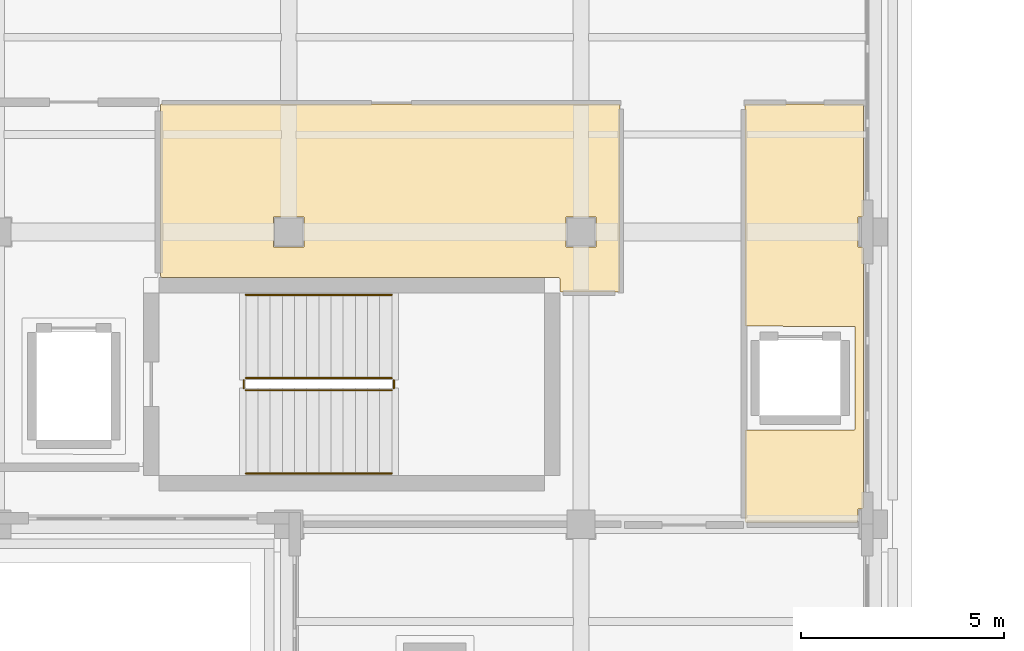
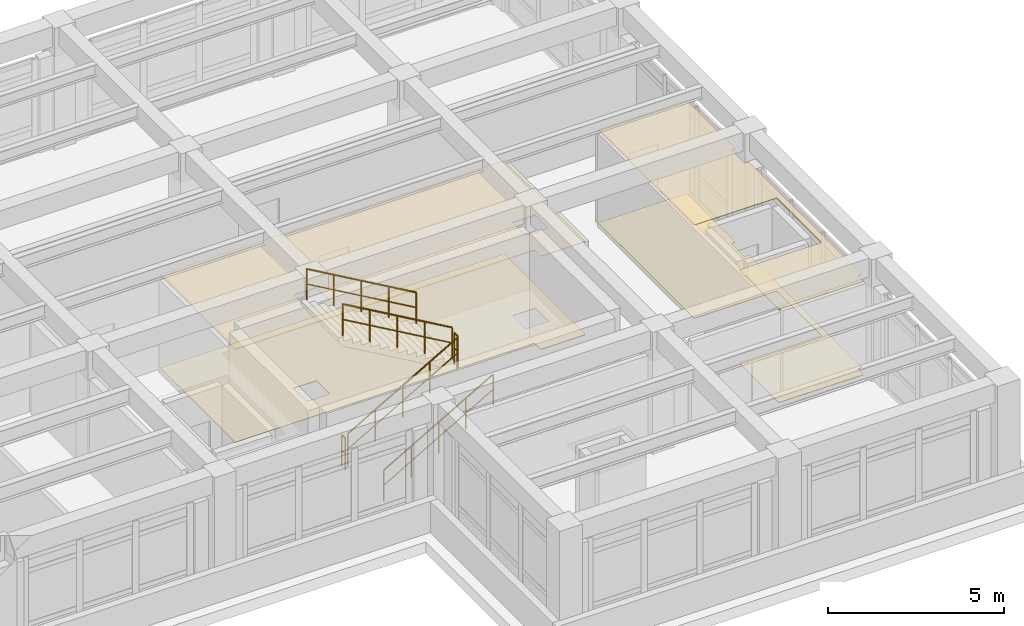
# One storey, part 63 of 64: 6 railings, 4 coverings.
"""IFC4 building model written with IfcOpenShell, lengths in metres."""

import ifcopenshell
import ifcopenshell.guid

model = None  # the IFC model being written
_history = None  # IfcOwnerHistory: only IFC2X3 demands one
_inside = {}  # id of a spatial element -> (the spatial element, [elements in it])
_under = {}  # id of a project, library or spatial element -> (it, [spatial elements below it])
_declared = {}  # id of a project -> (the project, [libraries it declares])
_typed = {}  # id of a type object -> (the type object, [elements of that type])
_made_of = {}  # id of a material, layer set ... -> (it, [elements and type objects made of it])


def new_model(schema):
    """Start an empty IFC model of exactly this schema.

    Asked for "IFC4X3", IfcOpenShell would pick the latest addendum, in which some entities
    have other attributes; the version numbers below select the first issue.
    IFC2X3 requires an IfcOwnerHistory on every rooted entity: one is made here for all.
    """
    global model, _history
    if schema == "IFC4X3":
        model = ifcopenshell.file(schema_version=(4, 3, 0, 0))
    else:
        model = ifcopenshell.file(schema=schema)
    _inside.clear()
    _under.clear()
    _declared.clear()
    _typed.clear()
    _made_of.clear()
    _history = None
    if model.schema == "IFC2X3":
        org = make("IfcOrganization", Name="unknown")
        user = make(
            "IfcPersonAndOrganization",
            ThePerson=make("IfcPerson", FamilyName="unknown"),
            TheOrganization=org,
        )
        app = make(
            "IfcApplication",
            ApplicationDeveloper=org,
            Version="unknown",
            ApplicationFullName="unknown",
            ApplicationIdentifier="unknown",
        )
        _history = make(
            "IfcOwnerHistory",
            OwningUser=user,
            OwningApplication=app,
            ChangeAction="ADDED",
            CreationDate=0,
        )
    return model


def make(cls, **values):
    """One entity of the class cls with the attributes given. An attribute that is None is left unset."""
    return model.create_entity(
        cls, **{name: value for name, value in values.items() if value is not None}
    )


def rooted(cls, **values):
    """An entity with a GlobalId (a new one), such as an element, a storey or a relation."""
    return make(cls, GlobalId=ifcopenshell.guid.new(), OwnerHistory=_history, **values)


def si_unit(unit_type, name, prefix=None):
    """IfcSIUnit, for example si_unit("LENGTHUNIT", "METRE", prefix="MILLI")."""
    return make("IfcSIUnit", UnitType=unit_type, Prefix=prefix, Name=name)


def assignment(units):
    """IfcUnitAssignment: the units of a project."""
    return None if units is None else make("IfcUnitAssignment", Units=units)


def point(xyz):
    """IfcCartesianPoint."""
    return None if xyz is None else make("IfcCartesianPoint", Coordinates=xyz)


def direction(xyz):
    """IfcDirection."""
    return None if xyz is None else make("IfcDirection", DirectionRatios=xyz)


def frame(location, z_axis=None, x_axis=None):
    """IfcAxis2Placement3D, a coordinate frame: its origin and axes. An axis left out is left unset."""
    return make(
        "IfcAxis2Placement3D",
        Location=point(location),
        Axis=direction(z_axis),
        RefDirection=direction(x_axis),
    )


def frame_2d(location, x_axis=None):
    """IfcAxis2Placement2D, a coordinate frame in the plane: its origin and x axis."""
    return make(
        "IfcAxis2Placement2D", Location=point(location), RefDirection=direction(x_axis)
    )


def origin():
    """The frame at (0, 0, 0) with its axes left unset."""
    return frame((0.0, 0.0, 0.0))


def origin_2d():
    """The frame at (0, 0) in the plane with its x axis left unset."""
    return frame_2d((0.0, 0.0))


def place(relative_to, where):
    """IfcLocalPlacement: puts the frame where relative to a parent placement (None: the world)."""
    return make(
        "IfcLocalPlacement", PlacementRelTo=relative_to, RelativePlacement=where
    )


def context(
    kind, dimensions, precision=None, world=None, true_north=None, identifier=None
):
    """IfcGeometricRepresentationContext, for example the 3D "Model" context."""
    return make(
        "IfcGeometricRepresentationContext",
        ContextIdentifier=identifier,
        ContextType=kind,
        CoordinateSpaceDimension=dimensions,
        Precision=precision,
        WorldCoordinateSystem=world,
        TrueNorth=true_north,
    )


def subcontext(parent, identifier, kind, view, scale=None):
    """IfcGeometricRepresentationSubContext, for example "Body" below "Model"."""
    return make(
        "IfcGeometricRepresentationSubContext",
        ContextIdentifier=identifier,
        ContextType=kind,
        ParentContext=parent,
        TargetScale=scale,
        TargetView=view,
    )


def project(units=None, contexts=None):
    """IfcProject with its units and contexts."""
    return rooted(
        "IfcProject",
        Name="project",
        RepresentationContexts=contexts,
        UnitsInContext=assignment(units),
    )


def spatial(cls, under=None, at=None, **own):
    """A site, building, storey or space (cls), placed at a placement, below another one or the project."""
    s = rooted(cls, ObjectPlacement=at, **own)
    if under is not None:
        _under.setdefault(under.id(), (under, []))[1].append(s)
    return s


def polyline(points):
    """IfcPolyline through the points."""
    return make("IfcPolyline", Points=[point(p) for p in points])


def profile(cls, at=None, kind="AREA", **sizes):
    """A parametric profile (cls). Its sizes go by their IFC names, for example OverallWidth=200.0."""
    return make(cls, ProfileType=kind, Position=at, **sizes)


def circle(**sizes):
    """IfcCircleProfileDef."""
    return profile("IfcCircleProfileDef", **sizes)


def outline(outer, holes=None, kind="AREA"):
    """IfcArbitraryClosedProfileDef: a profile drawn as a closed curve; with holes, ...WithVoids."""
    if holes is None:
        return make("IfcArbitraryClosedProfileDef", ProfileType=kind, OuterCurve=outer)
    return make(
        "IfcArbitraryProfileDefWithVoids",
        ProfileType=kind,
        OuterCurve=outer,
        InnerCurves=holes,
    )


def extrude(swept, where, along, depth):
    """IfcExtrudedAreaSolid: the profile swept, set in the frame where, extruded along a direction by depth."""
    return make(
        "IfcExtrudedAreaSolid",
        SweptArea=swept,
        Position=where,
        ExtrudedDirection=direction(along),
        Depth=depth,
    )


def shape(context_of_items, identifier, shape_type, items):
    """IfcShapeRepresentation: the items that make up one representation, for example the "Body"."""
    return make(
        "IfcShapeRepresentation",
        ContextOfItems=context_of_items,
        RepresentationIdentifier=identifier,
        RepresentationType=shape_type,
        Items=items,
    )


def material(Name=None, Category=None):
    """IfcMaterial."""
    return make("IfcMaterial", Name=Name, Category=Category)


def layer(
    of_material, thickness, ventilated=None, Name=None, Category=None, Priority=None
):
    """IfcMaterialLayer: one layer of a wall or slab, of a material (None: an air gap)."""
    return make(
        "IfcMaterialLayer",
        Material=of_material,
        LayerThickness=thickness,
        IsVentilated=ventilated,
        Name=Name,
        Category=Category,
        Priority=Priority,
    )


def layer_set(layers, Name=None):
    """IfcMaterialLayerSet."""
    return make("IfcMaterialLayerSet", MaterialLayers=layers, LayerSetName=Name)


def made_of(thing, what):
    """Note that an element or type object is made of a material, layer set ...; save() writes the relation."""
    if what is not None:
        _made_of.setdefault(what.id(), (what, []))[1].append(thing)
    return thing


def type_object(cls, material=None, **own):
    """A type object (cls), such as IfcWallType, which elements share."""
    return made_of(rooted(cls, **own), material)


def element(
    cls,
    number,
    at=None,
    inside=None,
    cuts=None,
    type_object=None,
    material=None,
    context=None,
    identifier="Body",
    shape_type=None,
    held_by="IfcProductDefinitionShape",
    body=None,
    shapes=None,
    **own,
):
    """One element of the class cls, such as IfcWall. Its Tag is "e" and its number.

    at: its placement. inside: the storey or other place that contains it. cuts: it is an
    opening in that element (IfcRelVoidsElement). A single representation is given by context,
    identifier, shape_type and body (its items); several are given by shapes. held_by: the class
    of the entity that holds the representations. save() writes the other relations.
    """
    e = rooted(cls, Tag="e%d" % number, ObjectPlacement=at, **own)
    if body is not None:
        shapes = [shape(context, identifier, shape_type, body)]
    if shapes is not None:
        e.Representation = make(held_by, Representations=shapes)
    if inside is not None:
        _inside.setdefault(inside.id(), (inside, []))[1].append(e)
    if cuts is not None:
        rooted(
            "IfcRelVoidsElement", RelatingBuildingElement=cuts, RelatedOpeningElement=e
        )
    if type_object is not None:
        _typed.setdefault(type_object.id(), (type_object, []))[1].append(e)
    return made_of(e, material)


def aggregate(whole, parts):
    """IfcRelAggregates: a whole, such as a stair, and the parts it consists of."""
    return rooted("IfcRelAggregates", RelatingObject=whole, RelatedObjects=parts)


def save(model, path):
    """Write the relations noted so far, then the file.

    IfcRelAggregates (storeys below a building ...), IfcRelContainedInSpatialStructure (elements
    in a storey), IfcRelDefinesByType, IfcRelAssociatesMaterial and IfcRelDeclares: one each for
    every whole, place, type object, material and project.
    """
    for whole, parts in _under.values():
        aggregate(whole, parts)
    for where, things in _inside.values():
        rooted(
            "IfcRelContainedInSpatialStructure",
            RelatedElements=things,
            RelatingStructure=where,
        )
    for kind, things in _typed.values():
        rooted("IfcRelDefinesByType", RelatedObjects=things, RelatingType=kind)
    for what, things in _made_of.values():
        rooted("IfcRelAssociatesMaterial", RelatedObjects=things, RelatingMaterial=what)
    for by, libraries in _declared.values():
        rooted("IfcRelDeclares", RelatingContext=by, RelatedDefinitions=libraries)
    model.write(path)


model = new_model("IFC4")

# Units and contexts
model_context = context("Model", 3, precision=1e-05, world=origin(), true_north=direction((0.0, 1.0)))
body_context = subcontext(model_context, "Body", "Model", "MODEL_VIEW")
ifc_project = project(units=[si_unit("LENGTHUNIT", "METRE"), si_unit("AREAUNIT", "SQUARE_METRE"), si_unit("VOLUMEUNIT", "CUBIC_METRE"), si_unit("PLANEANGLEUNIT", "RADIAN"), si_unit("MASSUNIT", "GRAM", prefix="KILO")], contexts=[model_context])

# Site, building, storey
site_placement = place(None, origin())
site = spatial("IfcSite", under=ifc_project, at=site_placement, CompositionType="ELEMENT")
building_placement = place(site_placement, origin())
building = spatial("IfcBuilding", under=site, at=building_placement, Name="Solenvale Faculty of Natural Sciences", CompositionType="ELEMENT")
storey_placement = place(building_placement, frame((0.0, 0.0, 18.0)))
storey = spatial("IfcBuildingStorey", under=building, at=storey_placement, Name="L04", CompositionType="ELEMENT", Elevation=18.0)

# Coverings
ifc_material_1 = material(Name="Acoustic mineral-timber ceiling", Category="wood")
ifc_layer_1 = layer(ifc_material_1, 0.02490234375)
ifc_layer_set_1 = layer_set([ifc_layer_1], Name="Acoustic mineral-timber ceiling")
covering_type_1 = type_object("IfcCoveringType", Name="COV-CEIL-AC25", PredefinedType="CEILING", material=ifc_layer_set_1)
covering_1_placement = place(storey_placement, frame((0.0, 0.0, 3.235107421875)))
element("IfcCovering", 1, at=covering_1_placement, inside=storey, type_object=covering_type_1, Name="L04 Building Electrical and Telecom Closet Acoustic Ceiling", PredefinedType="CEILING", context=body_context, shape_type="SweptSolid", body=[
    extrude(outline(polyline([(144.929931640625, 103.9599609375), (144.950927734375, 103.950927734375), (144.9599609375, 103.929931640625), (144.9599609375, 99.35009765625), (144.94091796875, 99.322021484375), (143.50390625, 99.321044921875), (143.47998046875, 99.346923828125), (143.47998046875, 99.654052734375), (143.450927734375, 99.679931640625), (133.669921875, 99.679931640625), (133.64208984375, 99.698974609375), (133.639892578125, 103.929931640625), (133.658935546875, 103.9580078125), (144.929931640625, 103.9599609375)]), holes=[polyline([(143.635986328125, 101.175048828125), (143.625, 101.1640625), (143.6279296875, 100.427978515625), (144.3720703125, 100.427978515625), (144.3720703125, 101.172119140625), (143.635986328125, 101.175048828125)]), polyline([(136.43603515625, 101.175048828125), (136.425048828125, 101.1640625), (136.427978515625, 100.427978515625), (137.172119140625, 100.427978515625), (137.172119140625, 101.172119140625), (136.43603515625, 101.175048828125)])]), origin(), (0.0, 0.0, 1.0), 0.02490234375),
])
covering_2_placement = place(storey_placement, frame((0.0, 0.0, 3.235107421875)))
element("IfcCovering", 2, at=covering_2_placement, inside=storey, type_object=covering_type_1, Name="L04 Elevator Lobby Acoustic Ceiling", PredefinedType="CEILING", context=body_context, shape_type="SweptSolid", body=[
    extrude(outline(polyline([(148.0400390625, 95.889892578125), (148.049072265625, 95.910888671875), (148.070068359375, 95.919921875), (150.72509765625, 95.919921875), (150.7470703125, 95.929931640625), (150.7548828125, 95.949951171875), (150.7548828125, 98.449951171875), (150.7451171875, 98.471923828125), (148.070068359375, 98.47998046875), (148.041015625, 98.5009765625), (148.0419921875, 103.94091796875), (148.070068359375, 103.9599609375), (150.94091796875, 103.9580078125), (150.9599609375, 103.929931640625), (150.9599609375, 101.205078125), (150.93896484375, 101.176025390625), (150.824951171875, 101.1669921875), (150.824951171875, 100.43603515625), (150.833984375, 100.425048828125), (150.93896484375, 100.424072265625), (150.9599609375, 100.39501953125), (150.9599609375, 94.0048828125), (150.93896484375, 93.97607421875), (150.825927734375, 93.968994140625), (150.818115234375, 93.65087890625), (150.794921875, 93.639892578125), (148.051025390625, 93.64697265625), (148.0400390625, 93.669921875), (148.0400390625, 95.889892578125)])), origin(), (0.0, 0.0, 1.0), 0.02490234375),
])
ifc_material_2 = material(Name="Polished slate terrazzo flooring", Category="masonry")
ifc_layer_2 = layer(ifc_material_2, 0.01806640625)
ifc_layer_set_2 = layer_set([ifc_layer_2], Name="Polished slate terrazzo flooring")
covering_type_2 = type_object("IfcCoveringType", Name="COV-FLR-TRZ18", PredefinedType="FLOORING", material=ifc_layer_set_2)
covering_3_placement = place(storey_placement, origin())
element("IfcCovering", 3, at=covering_3_placement, inside=storey, type_object=covering_type_2, Name="L04 Building Electrical and Telecom Closet Floor Finish", PredefinedType="FLOORING", context=body_context, shape_type="SweptSolid", body=[
    extrude(outline(polyline([(144.929931640625, 103.9599609375), (144.950927734375, 103.950927734375), (144.9599609375, 103.929931640625), (144.9599609375, 99.35009765625), (144.94091796875, 99.322021484375), (143.50390625, 99.321044921875), (143.47998046875, 99.346923828125), (143.47998046875, 99.654052734375), (143.450927734375, 99.679931640625), (133.669921875, 99.679931640625), (133.64208984375, 99.698974609375), (133.639892578125, 103.929931640625), (133.658935546875, 103.9580078125), (144.929931640625, 103.9599609375)]), holes=[polyline([(143.635986328125, 101.175048828125), (143.625, 101.1640625), (143.6279296875, 100.427978515625), (144.3720703125, 100.427978515625), (144.3720703125, 101.172119140625), (143.635986328125, 101.175048828125)]), polyline([(136.43603515625, 101.175048828125), (136.425048828125, 101.1640625), (136.427978515625, 100.427978515625), (137.172119140625, 100.427978515625), (137.172119140625, 101.172119140625), (136.43603515625, 101.175048828125)])]), origin(), (0.0, 0.0, 1.0), 0.01806640625),
])
covering_4_placement = place(storey_placement, origin())
element("IfcCovering", 4, at=covering_4_placement, inside=storey, type_object=covering_type_2, Name="L04 Elevator Lobby Floor Finish", PredefinedType="FLOORING", context=body_context, shape_type="SweptSolid", body=[
    extrude(outline(polyline([(148.0400390625, 95.889892578125), (148.049072265625, 95.910888671875), (148.070068359375, 95.919921875), (150.72509765625, 95.919921875), (150.7470703125, 95.929931640625), (150.7548828125, 95.949951171875), (150.7548828125, 98.449951171875), (150.7451171875, 98.471923828125), (148.070068359375, 98.47998046875), (148.041015625, 98.5009765625), (148.0419921875, 103.94091796875), (148.070068359375, 103.9599609375), (150.94091796875, 103.9580078125), (150.9599609375, 103.929931640625), (150.9599609375, 101.205078125), (150.93896484375, 101.176025390625), (150.824951171875, 101.1669921875), (150.824951171875, 100.43603515625), (150.833984375, 100.425048828125), (150.93896484375, 100.424072265625), (150.9599609375, 100.39501953125), (150.9599609375, 94.0048828125), (150.93896484375, 93.97607421875), (150.825927734375, 93.968994140625), (150.818115234375, 93.65087890625), (150.794921875, 93.639892578125), (148.051025390625, 93.64697265625), (148.0400390625, 93.669921875), (148.0400390625, 95.889892578125)])), origin(), (0.0, 0.0, 1.0), 0.01806640625),
])

# Railings
ifc_material_3 = material(Name="Stainless steel Grade 304", Category="steel")
railing_type_1 = type_object("IfcRailingType", Name="RL-GRD-1100", PredefinedType="GUARDRAIL", material=ifc_material_3)
railing_1_placement = place(storey_placement, frame((135.739990234375, 96.89990234375, 0.173095703125)))
element("IfcRailing", 5, at=railing_1_placement, inside=storey, type_object=railing_type_1, Name="L04 ST-05 stair guard 1", PredefinedType="GUARDRAIL", context=body_context, shape_type="SweptSolid", body=[
    extrude(circle(Radius=0.02392578125, at=origin_2d()), frame((0.0, 0.0, 1.09619140625), z_axis=(0.866193409371, 0.0, 0.499708892819), x_axis=(0.0, 1.0, 0.0)), (0.0, 0.0, 1.0), 4.15625),
    extrude(circle(Radius=0.01611328125, at=origin_2d()), frame((0.0, 0.0, 0.56005859375), z_axis=(0.866193409371, 0.0, 0.499708892819), x_axis=(0.0, 1.0, 0.0)), (0.0, 0.0, 1.0), 4.15625),
    extrude(circle(Radius=0.02099609375, at=origin_2d()), origin(), (0.0, 0.0, 1.0), 1.072021484375),
    extrude(circle(Radius=0.02099609375, at=origin_2d()), frame((0.89990234375, 0.0, 0.519287109375)), (0.0, 0.0, 1.0), 1.072021484375),
    extrude(circle(Radius=0.02099609375, at=origin_2d()), frame((1.800048828125, 0.0, 1.03857421875)), (0.0, 0.0, 1.0), 1.072021484375),
    extrude(circle(Radius=0.02099609375, at=origin_2d()), frame((2.7001953125, 0.0, 1.5576171875)), (0.0, 0.0, 1.0), 1.072021484375),
    extrude(circle(Radius=0.02099609375, at=origin_2d()), frame((3.60009765625, 0.0, 2.076904296875)), (0.0, 0.0, 1.0), 1.072021484375),
])
railing_2_placement = place(storey_placement, frame((139.389892578125, 96.949951171875, 2.25)))
element("IfcRailing", 6, at=railing_2_placement, inside=storey, type_object=railing_type_1, Name="L04 ST-05 stair guard 2", PredefinedType="GUARDRAIL", context=body_context, shape_type="SweptSolid", body=[
    extrude(circle(Radius=0.02392578125, at=origin_2d()), frame((0.0, 0.0, 1.09619140625), z_axis=(0.0, 1.0, 0.0), x_axis=(-1.0, 0.0, 0.0)), (0.0, 0.0, 1.0), 0.199951171875),
    extrude(circle(Radius=0.01611328125, at=origin_2d()), frame((0.0, 0.0, 0.56005859375), z_axis=(0.0, 1.0, 0.0), x_axis=(-1.0, 0.0, 0.0)), (0.0, 0.0, 1.0), 0.199951171875),
    extrude(circle(Radius=0.02099609375, at=origin_2d()), origin(), (0.0, 0.0, 1.0), 1.072021484375),
    extrude(circle(Radius=0.02099609375, at=origin_2d()), frame((0.0, 0.199951171875, 0.0)), (0.0, 0.0, 1.0), 1.072021484375),
])
railing_3_placement = place(storey_placement, frame((139.340087890625, 97.199951171875, 2.423095703125)))
element("IfcRailing", 7, at=railing_3_placement, inside=storey, type_object=railing_type_1, Name="L04 ST-05 stair guard 3", PredefinedType="GUARDRAIL", context=body_context, shape_type="SweptSolid", body=[
    extrude(circle(Radius=0.02392578125, at=origin_2d()), frame((0.0, 0.0, 1.09619140625), z_axis=(-0.866193409371, 0.0, 0.499708892819), x_axis=(0.0, -1.0, 0.0)), (0.0, 0.0, 1.0), 4.15625),
    extrude(circle(Radius=0.01611328125, at=origin_2d()), frame((0.0, 0.0, 0.56005859375), z_axis=(-0.866193409371, 0.0, 0.499708892819), x_axis=(0.0, -1.0, 0.0)), (0.0, 0.0, 1.0), 4.15625),
    extrude(circle(Radius=0.02099609375, at=origin_2d()), origin(), (0.0, 0.0, 1.0), 1.072021484375),
    extrude(circle(Radius=0.02099609375, at=origin_2d()), frame((-0.89990234375, 0.0, 0.519287109375)), (0.0, 0.0, 1.0), 1.072021484375),
    extrude(circle(Radius=0.02099609375, at=origin_2d()), frame((-1.800048828125, 0.0, 1.03857421875)), (0.0, 0.0, 1.0), 1.072021484375),
    extrude(circle(Radius=0.02099609375, at=origin_2d()), frame((-2.7001953125, 0.0, 1.5576171875)), (0.0, 0.0, 1.0), 1.072021484375),
    extrude(circle(Radius=0.02099609375, at=origin_2d()), frame((-3.60009765625, 0.0, 2.076904296875)), (0.0, 0.0, 1.0), 1.072021484375),
])
railing_4_placement = place(storey_placement, frame((135.68994140625, 96.949951171875, 0.0)))
element("IfcRailing", 8, at=railing_4_placement, inside=storey, type_object=railing_type_1, Name="L04 ST-05 stair guard 4", PredefinedType="GUARDRAIL", context=body_context, shape_type="SweptSolid", body=[
    extrude(circle(Radius=0.02392578125, at=origin_2d()), frame((0.0, 0.0, 1.09619140625), z_axis=(0.0, 1.0, 0.0), x_axis=(-1.0, 0.0, 0.0)), (0.0, 0.0, 1.0), 0.199951171875),
    extrude(circle(Radius=0.01611328125, at=origin_2d()), frame((0.0, 0.0, 0.56005859375), z_axis=(0.0, 1.0, 0.0), x_axis=(-1.0, 0.0, 0.0)), (0.0, 0.0, 1.0), 0.199951171875),
    extrude(circle(Radius=0.02099609375, at=origin_2d()), origin(), (0.0, 0.0, 1.0), 1.072021484375),
    extrude(circle(Radius=0.02099609375, at=origin_2d()), frame((0.0, 0.199951171875, 0.0)), (0.0, 0.0, 1.0), 1.072021484375),
])
railing_type_2 = type_object("IfcRailingType", Name="RL-HND-900", PredefinedType="HANDRAIL", material=ifc_material_3)
railing_5_placement = place(storey_placement, frame((135.739990234375, 94.85009765625, 0.173095703125)))
element("IfcRailing", 9, at=railing_5_placement, inside=storey, type_object=railing_type_2, Name="L04 ST-05 stair handrail 1", PredefinedType="HANDRAIL", context=body_context, shape_type="SweptSolid", body=[
    extrude(circle(Radius=0.02392578125, at=origin_2d()), frame((0.0, 0.0, 1.0732421875), z_axis=(0.866193409371, 0.0, 0.499708892819), x_axis=(0.0, 1.0, 0.0)), (0.0, 0.0, 1.0), 4.15625),
    extrude(circle(Radius=0.01611328125, at=origin_2d()), frame((0.0, 0.0, 0.548583984375), z_axis=(0.866193409371, 0.0, 0.499708892819), x_axis=(0.0, 1.0, 0.0)), (0.0, 0.0, 1.0), 4.15625),
    extrude(circle(Radius=0.02099609375, at=origin_2d()), origin(), (0.0, 0.0, 1.0), 1.049072265625),
    extrude(circle(Radius=0.02099609375, at=origin_2d()), frame((0.89990234375, 0.0, 0.519287109375)), (0.0, 0.0, 1.0), 1.049072265625),
    extrude(circle(Radius=0.02099609375, at=origin_2d()), frame((1.800048828125, 0.0, 1.03857421875)), (0.0, 0.0, 1.0), 1.049072265625),
    extrude(circle(Radius=0.02099609375, at=origin_2d()), frame((2.7001953125, 0.0, 1.5576171875)), (0.0, 0.0, 1.0), 1.049072265625),
    extrude(circle(Radius=0.02099609375, at=origin_2d()), frame((3.60009765625, 0.0, 2.076904296875)), (0.0, 0.0, 1.0), 1.049072265625),
])
railing_6_placement = place(storey_placement, frame((139.340087890625, 99.25, 2.423095703125)))
element("IfcRailing", 10, at=railing_6_placement, inside=storey, type_object=railing_type_2, Name="L04 ST-05 stair handrail 2", PredefinedType="HANDRAIL", context=body_context, shape_type="SweptSolid", body=[
    extrude(circle(Radius=0.02392578125, at=origin_2d()), frame((0.0, 0.0, 1.0732421875), z_axis=(-0.866193409371, 0.0, 0.499708892819), x_axis=(0.0, -1.0, 0.0)), (0.0, 0.0, 1.0), 4.15625),
    extrude(circle(Radius=0.01611328125, at=origin_2d()), frame((0.0, 0.0, 0.548583984375), z_axis=(-0.866193409371, 0.0, 0.499708892819), x_axis=(0.0, -1.0, 0.0)), (0.0, 0.0, 1.0), 4.15625),
    extrude(circle(Radius=0.02099609375, at=origin_2d()), origin(), (0.0, 0.0, 1.0), 1.049072265625),
    extrude(circle(Radius=0.02099609375, at=origin_2d()), frame((-0.89990234375, 0.0, 0.519287109375)), (0.0, 0.0, 1.0), 1.049072265625),
    extrude(circle(Radius=0.02099609375, at=origin_2d()), frame((-1.800048828125, 0.0, 1.03857421875)), (0.0, 0.0, 1.0), 1.049072265625),
    extrude(circle(Radius=0.02099609375, at=origin_2d()), frame((-2.7001953125, 0.0, 1.5576171875)), (0.0, 0.0, 1.0), 1.049072265625),
    extrude(circle(Radius=0.02099609375, at=origin_2d()), frame((-3.60009765625, 0.0, 2.076904296875)), (0.0, 0.0, 1.0), 1.049072265625),
])

save(model, "model.ifc")
